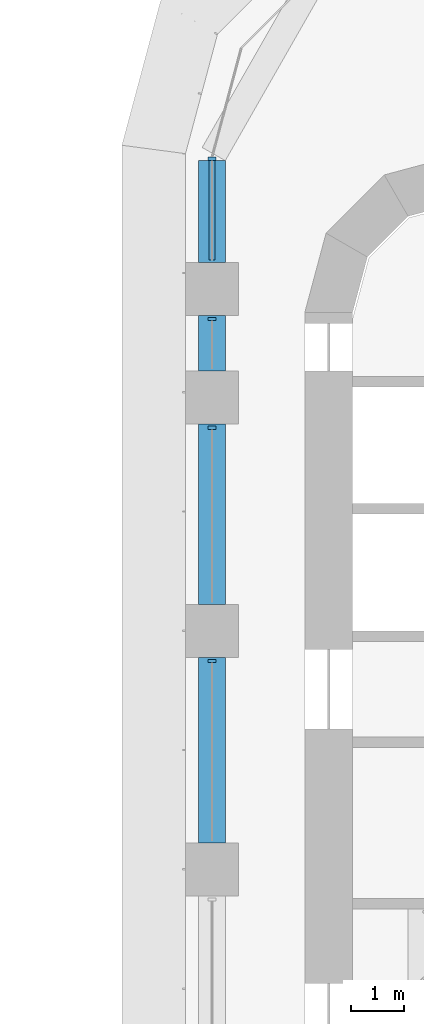
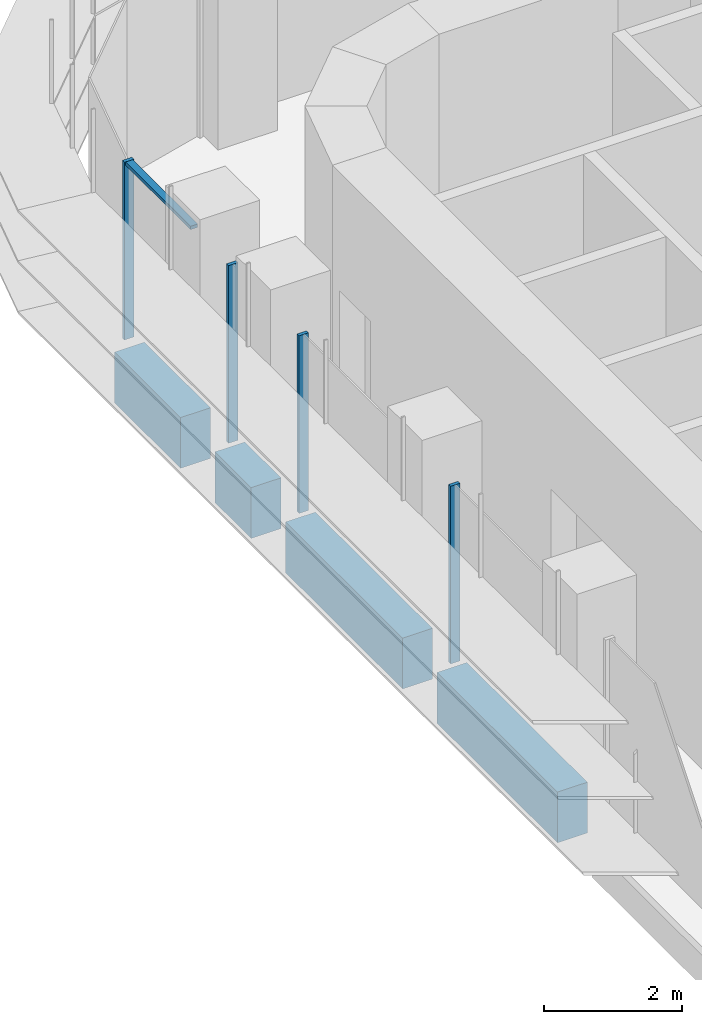
# One storey, part 7 of 23: 5 members, 4 beams, 1 element without a shape of its own.
"""IFC4 building model written with IfcOpenShell, lengths in metres."""

from ifc_helpers import new_model, si_unit, direction, frame, origin, origin_2d, place, context, subcontext, project, spatial, polyline, rectangle, outline, extrude, source, transform, mapped, material, material_profile, profile_set, type_object, element, aggregate, save


model = new_model("IFC4")

# Units and contexts
model_context = context("Model", 3, precision=1e-05, world=origin(), true_north=direction((0.0, 1.0)))
body_context = subcontext(model_context, "Body", "Model", "MODEL_VIEW")
ifc_project = project(units=[si_unit("LENGTHUNIT", "METRE"), si_unit("AREAUNIT", "SQUARE_METRE"), si_unit("VOLUMEUNIT", "CUBIC_METRE"), si_unit("PLANEANGLEUNIT", "RADIAN"), si_unit("MASSUNIT", "GRAM", prefix="KILO")], contexts=[model_context])

# Site, building, storey
site_placement = place(None, origin())
site = spatial("IfcSite", under=ifc_project, at=site_placement, CompositionType="ELEMENT")
building_placement = place(site_placement, origin())
building = spatial("IfcBuilding", under=site, at=building_placement, Name="Zarbagh Exchange Tower", CompositionType="ELEMENT")
storey_placement = place(building_placement, frame((0.0, 0.0, 56.39990234375)))
storey = spatial("IfcBuildingStorey", under=building, at=storey_placement, Name="L12", CompositionType="ELEMENT", Elevation=56.39990234375)

# Beams
ifc_material_1 = material(Name="Concrete C60/75", Category="concrete")
ifc_material_profile = material_profile(ifc_material_1, rectangle(XDim=0.5, YDim=0.89990234375, at=origin_2d()), Name="RC spandrel beam 500 x 900 C60/75")
ifc_profile_set = profile_set([ifc_material_profile], Name="Concrete C60/75")
beam_type = type_object("IfcBeamType", Name="RC spandrel beam 500 x 900 C60/75", PredefinedType="SPANDREL", material=ifc_profile_set)
beam_1_placement = place(storey_placement, frame((-6.25, 16.25, -0.599853515625), z_axis=(0.0, 1.0, 0.0), x_axis=(-1.0, 0.0, 0.0)))
element("IfcBeam", 1, at=beam_1_placement, inside=storey, type_object=beam_type, Name="RC spandrel beam", PredefinedType="SPANDREL", context=body_context, shape_type="SweptSolid", body=[
    extrude(rectangle(XDim=0.5, YDim=0.89990234375, at=origin_2d()), origin(), (0.0, 0.0, 1.0), 3.5),
])
beam_2_placement = place(storey_placement, frame((-6.25, 20.75, -0.599853515625), z_axis=(0.0, 1.0, 0.0), x_axis=(-1.0, 0.0, 0.0)))
element("IfcBeam", 2, at=beam_2_placement, inside=storey, type_object=beam_type, Name="RC spandrel beam", PredefinedType="SPANDREL", context=body_context, shape_type="SweptSolid", body=[
    extrude(rectangle(XDim=0.5, YDim=0.89990234375, at=origin_2d()), origin(), (0.0, 0.0, 1.0), 3.39990234375),
])
beam_3_placement = place(storey_placement, frame((-6.25, 25.14990234375, -0.599853515625), z_axis=(0.0, 1.0, 0.0), x_axis=(-1.0, 0.0, 0.0)))
element("IfcBeam", 3, at=beam_3_placement, inside=storey, type_object=beam_type, Name="RC spandrel beam", PredefinedType="SPANDREL", context=body_context, shape_type="SweptSolid", body=[
    extrude(rectangle(XDim=0.5, YDim=0.89990234375, at=origin_2d()), origin(), (0.0, 0.0, 1.0), 1.050048828125),
])
beam_4_placement = place(storey_placement, frame((-6.25, 27.199951171875, -0.599853515625), z_axis=(0.0, 1.0, 0.0), x_axis=(-1.0, 0.0, 0.0)))
element("IfcBeam", 4, at=beam_4_placement, inside=storey, type_object=beam_type, Name="RC spandrel beam", PredefinedType="SPANDREL", context=body_context, shape_type="SweptSolid", body=[
    extrude(rectangle(XDim=0.5, YDim=0.89990234375, at=origin_2d()), origin(), (0.0, 0.0, 1.0), 1.91796875),
])

# Curtain wall, members
ifc_material_2 = material(Name="Anodised aluminium frame and glazing", Category="aluminium")
curtain_wall_type = type_object("IfcCurtainWallType", Name="CWA Ribbon glazing, lower zones", PredefinedType="NOTDEFINED", material=ifc_material_2)
curtain_wall_placement = place(storey_placement, origin())
curtain_wall = element("IfcCurtainWall", 5, at=curtain_wall_placement, inside=storey, type_object=curtain_wall_type, Name="CWA28 curtain wall", PredefinedType="NOTDEFINED")
ifc_material_3 = material(Name="Anodised aluminium frame", Category="aluminium")
member_type_1 = type_object("IfcMemberType", Name="MUA Mullion, anodised aluminium frame", PredefinedType="MULLION", material=ifc_material_3)
shared_shape_1 = source(origin(), body_context, "Body", "SweptSolid", [
    extrude(outline(polyline([(0.0, -0.080078125), (0.06005859375, -0.080078125), (0.06005859375, 0.080078125), (0.0, 0.080078125), (0.0, -0.080078125)])), origin(), (0.0, 0.0, 1.0), 3.14990234375),
])
placement = place(storey_placement, origin())
member_1 = element("IfcMember", 6, at=placement, type_object=member_type_1, Name="CWA28 mullion 1.1", PredefinedType="MULLION", context=body_context, shape_type="MappedRepresentation", body=[
    mapped(shared_shape_1, transform((-6.25, 29.18408203125, 0.0), x_axis=(0.0, -1.0, 0.0), y_axis=(1.0, 0.0, 0.0), z_axis=(0.0, 0.0, 1.0))),
])
member_2 = element("IfcMember", 7, at=placement, type_object=member_type_1, Name="CWA28 mullion 2.1", PredefinedType="MULLION", context=body_context, shape_type="MappedRepresentation", body=[
    mapped(shared_shape_1, transform((-6.25, 26.159912109375, 0.0), x_axis=(0.0, -1.0, 0.0), y_axis=(1.0, 0.0, 0.0), z_axis=(0.0, 0.0, 1.0))),
])
member_3 = element("IfcMember", 8, at=placement, type_object=member_type_1, Name="CWA28 mullion 3.1", PredefinedType="MULLION", context=body_context, shape_type="MappedRepresentation", body=[
    mapped(shared_shape_1, transform((-6.25, 24.10986328125, 0.0), x_axis=(0.0, -1.0, 0.0), y_axis=(1.0, 0.0, 0.0), z_axis=(0.0, 0.0, 1.0))),
])
member_4 = element("IfcMember", 9, at=placement, type_object=member_type_1, Name="CWA28 mullion 4.1", PredefinedType="MULLION", context=body_context, shape_type="MappedRepresentation", body=[
    mapped(shared_shape_1, transform((-6.25, 19.7099609375, 0.0), x_axis=(0.0, -1.0, 0.0), y_axis=(1.0, 0.0, 0.0), z_axis=(0.0, 0.0, 1.0))),
])
member_type_2 = type_object("IfcMemberType", Name="TRA Transom, anodised aluminium frame", PredefinedType="USERDEFINED", material=ifc_material_3)
shared_shape_2 = source(origin(), body_context, "Body", "SweptSolid", [
    extrude(outline(polyline([(-0.06005859375, -0.06005859375), (0.0, -0.06005859375), (0.0, 0.06005859375), (-0.06005859375, 0.06005859375), (-0.06005859375, -0.06005859375)])), origin(), (0.0, 0.0, 1.0), 1.88427734375),
])
member_5 = element("IfcMember", 10, at=placement, type_object=member_type_2, Name="CWA28 transom 1.1", ObjectType="TRANSOM", PredefinedType="USERDEFINED", context=body_context, shape_type="MappedRepresentation", body=[
    mapped(shared_shape_2, transform((-6.25, 29.124267578125, 3.150146484375), x_axis=(0.0, 0.0, 1.0), y_axis=(-1.0, 0.0, 0.0), z_axis=(0.0, -1.0, 0.0))),
])
aggregate(curtain_wall, [member_1, member_5, member_2, member_3, member_4])

save(model, "model.ifc")
